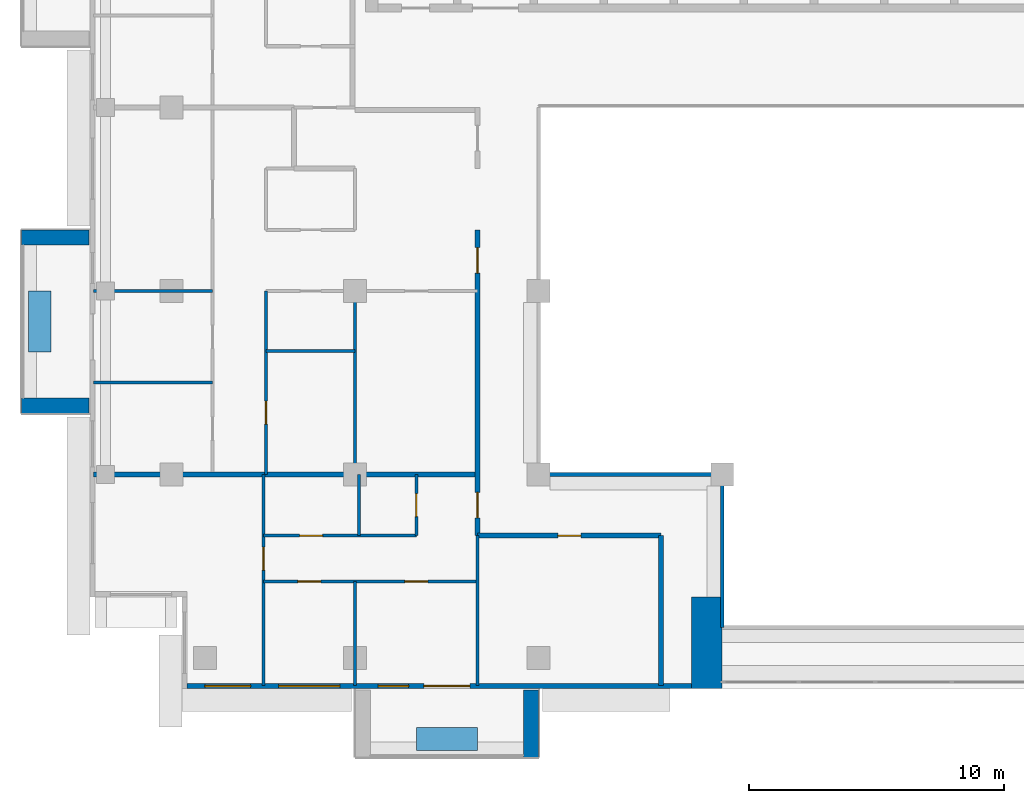
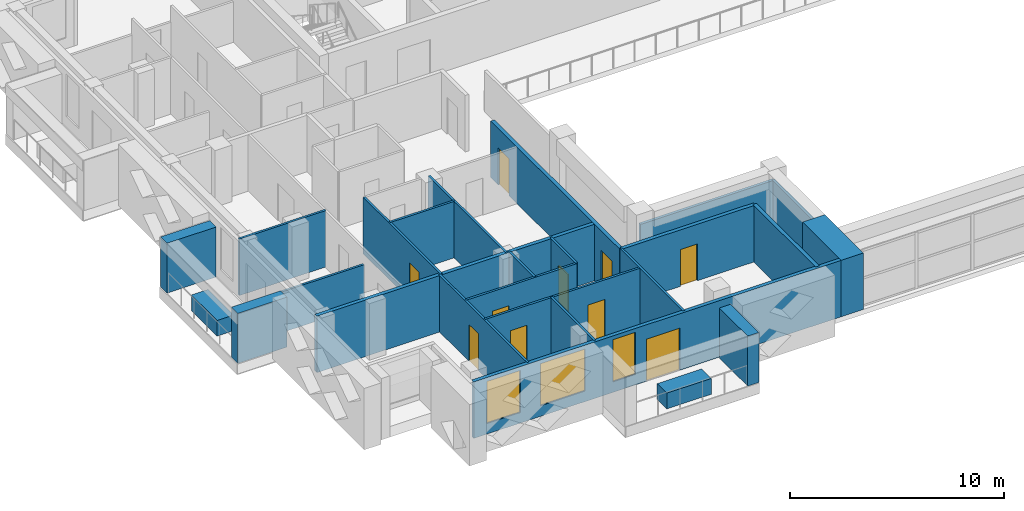
# One storey, part 6 of 19: 25 walls, 10 doors, 3 windows, 13 openings.
"""IFC4 building model written with IfcOpenShell, lengths in metres."""

from ifc_helpers import new_model, si_unit, direction, frame, frame_2d, origin, place, context, subcontext, project, spatial, rectangle, extrude, material, layer, layer_set, type_object, element, fill, save


model = new_model("IFC4")

# Units and contexts
model_context = context("Model", 3, precision=1e-05, world=origin(), true_north=direction((0.0, 1.0)))
body_context = subcontext(model_context, "Body", "Model", "MODEL_VIEW")
ifc_project = project(units=[si_unit("LENGTHUNIT", "METRE"), si_unit("AREAUNIT", "SQUARE_METRE"), si_unit("VOLUMEUNIT", "CUBIC_METRE"), si_unit("PLANEANGLEUNIT", "RADIAN"), si_unit("MASSUNIT", "GRAM", prefix="KILO")], contexts=[model_context])

# Site, building, storey
site_placement = place(None, origin())
site = spatial("IfcSite", under=ifc_project, at=site_placement, CompositionType="ELEMENT")
building_placement = place(site_placement, origin())
building = spatial("IfcBuilding", under=site, at=building_placement, Name="Saffron Iwan Residences", CompositionType="ELEMENT")
storey_placement = place(building_placement, frame((0.0, 0.0, 222.0)))
storey = spatial("IfcBuildingStorey", under=building, at=storey_placement, Name="L59", CompositionType="ELEMENT", Elevation=222.0)

# Walls
ifc_material_1 = material(Name="Fire-rated glazing", Category="glass")
ifc_layer_1 = layer(ifc_material_1, 0.14990234375)
ifc_layer_set_1 = layer_set([ifc_layer_1], Name="Fire-rated glazing")
wall_type_1 = type_object("IfcWallType", Name="Atrium glazed screen 150", PredefinedType="SOLIDWALL", material=ifc_layer_set_1)
wall_1_placement = place(storey_placement, frame((36.0, 48.0, 0.0), z_axis=(0.0, 0.0, 1.0), x_axis=(1.0, 0.0, 0.0)))
element("IfcWall", 1, at=wall_1_placement, inside=storey, type_object=wall_type_1, Name="W-L59-SCREEN-h48-36", PredefinedType="SOLIDWALL", context=body_context, shape_type="SweptSolid", body=[
    extrude(rectangle(XDim=7.199951171875, YDim=0.14990234375, at=frame_2d((3.60009765625, 0.0))), origin(), (0.0, 0.0, 1.0), 2.320068359375),
])
wall_2_placement = place(storey_placement, frame((43.199951171875, 42.0, 0.0), z_axis=(0.0, 0.0, 1.0), x_axis=(0.0, 1.0, 0.0)))
element("IfcWall", 2, at=wall_2_placement, inside=storey, type_object=wall_type_1, Name="W-L59-SCREEN-v43.2-42", PredefinedType="SOLIDWALL", context=body_context, shape_type="SweptSolid", body=[
    extrude(rectangle(XDim=6.0, YDim=0.14990234375, at=frame_2d((3.0, 0.0))), origin(), (0.0, 0.0, 1.0), 2.320068359375),
])
ifc_material_2 = material(Name="Concrete C50/60 white painted", Category="concrete")
ifc_layer_2 = layer(ifc_material_2, 0.60009765625)
ifc_layer_set_2 = layer_set([ifc_layer_2], Name="Concrete C50/60 white painted")
wall_type_2 = type_object("IfcWallType", Name="BALCONY FIN 600", PredefinedType="SOLIDWALL", material=ifc_layer_set_2)
for number, where, z_axis, x_axis, name in (
    (3, (18.35009765625, 57.300048828125, 0.0), (0.0, 0.0, 1.0), (-1.0, 0.0, 0.0), "Balcony fin L59 F8-1a"),
    (4, (18.35009765625, 50.699951171875, 0.0), (0.0, 0.0, 1.0), (-1.0, 0.0, 0.0), "Balcony fin L59 F8-1b"),
    (5, (35.699951171875, 39.550048828125, 0.0), (0.0, 0.0, 1.0), (0.0, -1.0, 0.0), "Balcony fin L59 11-0b"),
):
    element("IfcWall", number, at=place(storey_placement, frame(where, z_axis=z_axis, x_axis=x_axis)), inside=storey, type_object=wall_type_2, Name=name, PredefinedType="SOLIDWALL", context=body_context, shape_type="SweptSolid", body=[
        extrude(rectangle(XDim=2.650146484375, YDim=0.60009765625, at=frame_2d((1.3251953125, 0.0))), origin(), (0.0, 0.0, 1.0), 2.85009765625),
    ])
ifc_material_3 = material(Name="Concrete C35/45 white painted", Category="concrete")
ifc_layer_3 = layer(ifc_material_3, 0.14990234375)
ifc_layer_set_3 = layer_set([ifc_layer_3], Name="Concrete C35/45 white painted")
wall_type_3 = type_object("IfcWallType", Name="BALCONY PLANTER", PredefinedType="SOLIDWALL", material=ifc_layer_set_3)
wall_3_placement = place(storey_placement, frame((16.425048828125, 55.199951171875, 0.0), z_axis=(0.0, 0.0, 1.0), x_axis=(0.0, -1.0, 0.0)))
element("IfcWall", 6, at=wall_3_placement, inside=storey, type_object=wall_type_3, Name="PLANTER L59 F8-1", PredefinedType="SOLIDWALL", context=body_context, shape_type="SweptSolid", body=[
    extrude(rectangle(XDim=2.39990234375, YDim=0.89990234375, at=frame_2d((1.199951171875, 0.0))), origin(), (0.0, 0.0, 1.0), 0.89990234375),
])
wall_4_placement = place(storey_placement, frame((31.199951171875, 37.625, 0.0), z_axis=(0.0, 0.0, 1.0), x_axis=(1.0, 0.0, 0.0)))
element("IfcWall", 7, at=wall_4_placement, inside=storey, type_object=wall_type_3, Name="PLANTER L59 11-0", PredefinedType="SOLIDWALL", context=body_context, shape_type="SweptSolid", body=[
    extrude(rectangle(XDim=2.400146484375, YDim=0.89990234375, at=frame_2d((1.2001953125, 0.0))), origin(), (0.0, 0.0, 1.0), 0.89990234375),
])

# Wall, openings, door, windows
ifc_material_4 = material(Name="Concrete C40/50", Category="concrete")
ifc_layer_4 = layer(ifc_material_4, 0.199951171875)
ifc_layer_set_4 = layer_set([ifc_layer_4], Name="Concrete C40/50")
wall_type_4 = type_object("IfcWallType", Name="EXTERNAL WALL 200", PredefinedType="SOLIDWALL", material=ifc_layer_set_4)
wall_5_placement = place(storey_placement, frame((22.199951171875, 39.699951171875, 0.0), z_axis=(0.0, 0.0, 1.0), x_axis=(1.0, 0.0, 0.0)))
wall_5 = element("IfcWall", 8, at=wall_5_placement, inside=storey, type_object=wall_type_4, Name="External wall L59 F11.0", PredefinedType="SOLIDWALL", context=body_context, shape_type="SweptSolid", body=[
    extrude(rectangle(XDim=19.800048828125, YDim=0.199951171875, at=frame_2d((9.89990234375, 0.0))), origin(), (0.0, 0.0, 1.0), 3.219970703125),
])
opening_1_placement = place(wall_5_placement, frame((9.300048828125, 0.0, 0.0)))
opening_1 = element("IfcOpeningElement", 9, at=opening_1_placement, cuts=wall_5, Name="Opening BD1", PredefinedType="OPENING", context=body_context, shape_type="SweptSolid", body=[
    extrude(rectangle(XDim=1.800048828125, YDim=2.39990234375, at=frame_2d((0.89990234375, 1.199951171875))), frame((0.0, 0.10986328125, 0.0), z_axis=(0.0, -1.0, 0.0), x_axis=(1.0, 0.0, 0.0)), (0.0, 0.0, 1.0), 0.219970703125),
])
opening_2_placement = place(wall_5_placement, frame((0.699951171875, 0.0, 0.60009765625)))
opening_2 = element("IfcOpeningElement", 10, at=opening_2_placement, cuts=wall_5, Name="Opening W8", PredefinedType="OPENING", context=body_context, shape_type="SweptSolid", body=[
    extrude(rectangle(XDim=1.800048828125, YDim=2.39990234375, at=frame_2d((0.89990234375, 1.199951171875))), frame((0.0, 0.10986328125, 0.0), z_axis=(0.0, -1.0, 0.0), x_axis=(1.0, 0.0, 0.0)), (0.0, 0.0, 1.0), 0.219970703125),
])
opening_3_placement = place(wall_5_placement, frame((3.60009765625, 0.0, 0.60009765625)))
opening_3 = element("IfcOpeningElement", 11, at=opening_3_placement, cuts=wall_5, Name="Opening W1", PredefinedType="OPENING", context=body_context, shape_type="SweptSolid", body=[
    extrude(rectangle(XDim=2.39990234375, YDim=2.39990234375, at=frame_2d((1.199951171875, 1.199951171875))), frame((0.0, 0.10986328125, 0.0), z_axis=(0.0, -1.0, 0.0), x_axis=(1.0, 0.0, 0.0)), (0.0, 0.0, 1.0), 0.219970703125),
])
opening_4_placement = place(wall_5_placement, frame((7.5, 0.0, 0.60009765625)))
opening_4 = element("IfcOpeningElement", 12, at=opening_4_placement, cuts=wall_5, Name="Opening W3", PredefinedType="OPENING", context=body_context, shape_type="SweptSolid", body=[
    extrude(rectangle(XDim=1.199951171875, YDim=2.39990234375, at=frame_2d((0.60009765625, 1.199951171875))), frame((0.0, 0.10986328125, 0.0), z_axis=(0.0, -1.0, 0.0), x_axis=(1.0, 0.0, 0.0)), (0.0, 0.0, 1.0), 0.219970703125),
])
ifc_material_5 = material(Name="Clear glass, laminated double glazed", Category="glass")
door_type_1 = type_object("IfcDoorType", Name="BALCONY DOOR 1800 x 2400", OperationType="DOUBLE_DOOR_SLIDING", PredefinedType="DOOR", material=ifc_material_5)
door_1_placement = place(opening_1_placement, origin())
door_1 = element("IfcDoor", 13, at=door_1_placement, inside=storey, type_object=door_type_1, Name="Balcony door L59 F11.0", OperationType="DOUBLE_DOOR_SLIDING", OverallHeight=2.39990234375, OverallWidth=1.800048828125, PredefinedType="DOOR", context=body_context, shape_type="SweptSolid", body=[
    extrude(rectangle(XDim=1.800048828125, YDim=2.39990234375, at=frame_2d((0.89990234375, 1.199951171875))), frame((0.0, 0.02490234375, 0.0), z_axis=(0.0, -1.0, 0.0), x_axis=(1.0, 0.0, 0.0)), (0.0, 0.0, 1.0), 0.050048828125),
])
fill(opening_1, door_1)
window_type_1 = type_object("IfcWindowType", Name="WINDOW 1200 x 2400", PartitioningType="SINGLE_PANEL", PredefinedType="WINDOW", material=ifc_material_5)
window_1_placement = place(opening_4_placement, origin())
window_1 = element("IfcWindow", 14, at=window_1_placement, inside=storey, type_object=window_type_1, Name="Window L59 F11.3", OverallHeight=2.39990234375, OverallWidth=1.199951171875, PartitioningType="SINGLE_PANEL", PredefinedType="WINDOW", context=body_context, shape_type="SweptSolid", body=[
    extrude(rectangle(XDim=1.199951171875, YDim=2.39990234375, at=frame_2d((0.60009765625, 1.199951171875))), frame((0.0, 0.030029296875, 0.0), z_axis=(0.0, -1.0, 0.0), x_axis=(1.0, 0.0, 0.0)), (0.0, 0.0, 1.0), 0.06005859375),
])
fill(opening_4, window_1)
window_type_2 = type_object("IfcWindowType", Name="WINDOW 1800 x 2400", PartitioningType="DOUBLE_PANEL_VERTICAL", PredefinedType="WINDOW", material=ifc_material_5)
window_2_placement = place(opening_2_placement, origin())
window_2 = element("IfcWindow", 15, at=window_2_placement, inside=storey, type_object=window_type_2, Name="Window L59 F11.1", OverallHeight=2.39990234375, OverallWidth=1.800048828125, PartitioningType="DOUBLE_PANEL_VERTICAL", PredefinedType="WINDOW", context=body_context, shape_type="SweptSolid", body=[
    extrude(rectangle(XDim=1.800048828125, YDim=2.39990234375, at=frame_2d((0.89990234375, 1.199951171875))), frame((0.0, 0.030029296875, 0.0), z_axis=(0.0, -1.0, 0.0), x_axis=(1.0, 0.0, 0.0)), (0.0, 0.0, 1.0), 0.06005859375),
])
fill(opening_2, window_2)
window_type_3 = type_object("IfcWindowType", Name="WINDOW 2400 x 2400", PartitioningType="DOUBLE_PANEL_VERTICAL", PredefinedType="WINDOW", material=ifc_material_5)
window_3_placement = place(opening_3_placement, origin())
window_3 = element("IfcWindow", 16, at=window_3_placement, inside=storey, type_object=window_type_3, Name="Window L59 F11.2", OverallHeight=2.39990234375, OverallWidth=2.39990234375, PartitioningType="DOUBLE_PANEL_VERTICAL", PredefinedType="WINDOW", context=body_context, shape_type="SweptSolid", body=[
    extrude(rectangle(XDim=2.39990234375, YDim=2.39990234375, at=frame_2d((1.199951171875, 1.199951171875))), frame((0.0, 0.030029296875, 0.0), z_axis=(0.0, -1.0, 0.0), x_axis=(1.0, 0.0, 0.0)), (0.0, 0.0, 1.0), 0.06005859375),
])
fill(opening_3, window_3)

# Wall
ifc_material_6 = material(Name="Fire-rated gypsum board wall")
ifc_layer_5 = layer(ifc_material_6, 0.199951171875)
ifc_layer_set_5 = layer_set([ifc_layer_5], Name="Fire-rated gypsum board wall")
wall_type_5 = type_object("IfcWallType", Name="Flat demising wall 200", PredefinedType="SOLIDWALL", material=ifc_layer_set_5)
wall_6_placement = place(storey_placement, frame((18.52490234375, 48.0, 0.0), z_axis=(0.0, 0.0, 1.0), x_axis=(1.0, 0.0, 0.0)))
element("IfcWall", 17, at=wall_6_placement, inside=storey, type_object=wall_type_5, Name="W-L59-DEMISE-h48-18.525", PredefinedType="SOLIDWALL", context=body_context, shape_type="SweptSolid", body=[
    extrude(rectangle(XDim=15.0751953125, YDim=0.199951171875, at=frame_2d((7.53759765625, 0.0))), origin(), (0.0, 0.0, 1.0), 3.219970703125),
])

# Wall, openings, doors
ifc_material_7 = material(Name="Gypsum board partition")
ifc_layer_6 = layer(ifc_material_7, 0.1201171875)
ifc_layer_set_6 = layer_set([ifc_layer_6], Name="Gypsum board partition")
wall_type_6 = type_object("IfcWallType", Name="Flat partition 120", PredefinedType="PARTITIONING", material=ifc_layer_set_6)
wall_7_placement = place(storey_placement, frame((25.199951171875, 43.800048828125, 0.0), z_axis=(0.0, 0.0, 1.0), x_axis=(1.0, 0.0, 0.0)))
wall_7 = element("IfcWall", 18, at=wall_7_placement, inside=storey, type_object=wall_type_6, Name="W-L59-PART-h43.8-25.2", PredefinedType="PARTITIONING", context=body_context, shape_type="SweptSolid", body=[
    extrude(rectangle(XDim=8.400146484375, YDim=0.1201171875, at=frame_2d((4.2001953125, 0.0))), origin(), (0.0, 0.0, 1.0), 3.219970703125),
])
opening_5_placement = place(wall_7_placement, frame((1.35009765625, 0.0, 0.0)))
opening_5 = element("IfcOpeningElement", 19, at=opening_5_placement, cuts=wall_7, Name="Opening FD2", PredefinedType="OPENING", context=body_context, shape_type="SweptSolid", body=[
    extrude(rectangle(XDim=0.89990234375, YDim=2.10009765625, at=frame_2d((0.449951171875, 1.050048828125))), frame((0.0, 0.070068359375, 0.0), z_axis=(0.0, -1.0, 0.0), x_axis=(1.0, 0.0, 0.0)), (0.0, 0.0, 1.0), 0.14013671875),
])
opening_6_placement = place(wall_7_placement, frame((5.550048828125, 0.0, 0.0)))
opening_6 = element("IfcOpeningElement", 20, at=opening_6_placement, cuts=wall_7, Name="Opening FD2", PredefinedType="OPENING", context=body_context, shape_type="SweptSolid", body=[
    extrude(rectangle(XDim=0.89990234375, YDim=2.10009765625, at=frame_2d((0.449951171875, 1.050048828125))), frame((0.0, 0.070068359375, 0.0), z_axis=(0.0, -1.0, 0.0), x_axis=(1.0, 0.0, 0.0)), (0.0, 0.0, 1.0), 0.14013671875),
])
ifc_material_8 = material(Name="Timber door", Category="wood")
door_type_2 = type_object("IfcDoorType", Name="Flat door 900", OperationType="NOTDEFINED", PredefinedType="DOOR", material=ifc_material_8)
door_2_placement = place(opening_5_placement, origin())
door_2 = element("IfcDoor", 21, at=door_2_placement, inside=storey, type_object=door_type_2, Name="Door L59-003", OperationType="SINGLE_SWING_LEFT", OverallHeight=2.10009765625, OverallWidth=0.89990234375, PredefinedType="DOOR", context=body_context, shape_type="SweptSolid", body=[
    extrude(rectangle(XDim=0.89990234375, YDim=2.10009765625, at=frame_2d((0.449951171875, 1.050048828125))), frame((0.0, 0.02490234375, 0.0), z_axis=(0.0, -1.0, 0.0), x_axis=(1.0, 0.0, 0.0)), (0.0, 0.0, 1.0), 0.050048828125),
])
fill(opening_5, door_2)
door_3_placement = place(opening_6_placement, origin())
door_3 = element("IfcDoor", 22, at=door_3_placement, inside=storey, type_object=door_type_2, Name="Door L59-004", OperationType="SINGLE_SWING_LEFT", OverallHeight=2.10009765625, OverallWidth=0.89990234375, PredefinedType="DOOR", context=body_context, shape_type="SweptSolid", body=[
    extrude(rectangle(XDim=0.89990234375, YDim=2.10009765625, at=frame_2d((0.449951171875, 1.050048828125))), frame((0.0, 0.02490234375, 0.0), z_axis=(0.0, -1.0, 0.0), x_axis=(1.0, 0.0, 0.0)), (0.0, 0.0, 1.0), 0.050048828125),
])
fill(opening_6, door_3)

# Wall, opening, door
wall_8_placement = place(storey_placement, frame((25.199951171875, 45.60009765625, 0.0), z_axis=(0.0, 0.0, 1.0), x_axis=(1.0, 0.0, 0.0)))
wall_8 = element("IfcWall", 23, at=wall_8_placement, inside=storey, type_object=wall_type_6, Name="W-L59-PART-h45.6-25.2", PredefinedType="PARTITIONING", context=body_context, shape_type="SweptSolid", body=[
    extrude(rectangle(XDim=6.0, YDim=0.1201171875, at=frame_2d((3.0, 0.0))), origin(), (0.0, 0.0, 1.0), 3.219970703125),
])
opening_7_placement = place(wall_8_placement, frame((1.425048828125, 0.0, 0.0)))
opening_7 = element("IfcOpeningElement", 24, at=opening_7_placement, cuts=wall_8, Name="Opening FD2", PredefinedType="OPENING", context=body_context, shape_type="SweptSolid", body=[
    extrude(rectangle(XDim=0.89990234375, YDim=2.10009765625, at=frame_2d((0.449951171875, 1.050048828125))), frame((0.0, 0.070068359375, 0.0), z_axis=(0.0, -1.0, 0.0), x_axis=(1.0, 0.0, 0.0)), (0.0, 0.0, 1.0), 0.14013671875),
])
door_4_placement = place(opening_7_placement, origin())
door_4 = element("IfcDoor", 25, at=door_4_placement, inside=storey, type_object=door_type_2, Name="Door L59-005", OperationType="SINGLE_SWING_RIGHT", OverallHeight=2.10009765625, OverallWidth=0.89990234375, PredefinedType="DOOR", context=body_context, shape_type="SweptSolid", body=[
    extrude(rectangle(XDim=0.89990234375, YDim=2.10009765625, at=frame_2d((0.449951171875, 1.050048828125))), frame((0.0, 0.02490234375, 0.0), z_axis=(0.0, -1.0, 0.0), x_axis=(1.0, 0.0, 0.0)), (0.0, 0.0, 1.0), 0.050048828125),
])
fill(opening_7, door_4)

# Walls
wall_9_placement = place(storey_placement, frame((18.52490234375, 51.60009765625, 0.0), z_axis=(0.0, 0.0, 1.0), x_axis=(1.0, 0.0, 0.0)))
element("IfcWall", 26, at=wall_9_placement, inside=storey, type_object=wall_type_6, Name="W-L59-PART-h51.6-18.525", PredefinedType="PARTITIONING", context=body_context, shape_type="SweptSolid", body=[
    extrude(rectangle(XDim=4.675048828125, YDim=0.1201171875, at=frame_2d((2.33740234375, 0.0))), origin(), (0.0, 0.0, 1.0), 2.320068359375),
])
wall_10_placement = place(storey_placement, frame((25.300048828125, 52.85009765625, 0.0), z_axis=(0.0, 0.0, 1.0), x_axis=(1.0, 0.0, 0.0)))
element("IfcWall", 27, at=wall_10_placement, inside=storey, type_object=wall_type_6, Name="W-L59-PART-h52.85-25.3", PredefinedType="PARTITIONING", context=body_context, shape_type="SweptSolid", body=[
    extrude(rectangle(XDim=3.5, YDim=0.1201171875, at=frame_2d((1.75, 0.0))), origin(), (0.0, 0.0, 1.0), 3.219970703125),
])
wall_11_placement = place(storey_placement, frame((18.52490234375, 55.199951171875, 0.0), z_axis=(0.0, 0.0, 1.0), x_axis=(1.0, 0.0, 0.0)))
element("IfcWall", 28, at=wall_11_placement, inside=storey, type_object=wall_type_6, Name="W-L59-PART-h55.2-18.525", PredefinedType="PARTITIONING", context=body_context, shape_type="SweptSolid", body=[
    extrude(rectangle(XDim=4.675048828125, YDim=0.1201171875, at=frame_2d((2.33740234375, 0.0))), origin(), (0.0, 0.0, 1.0), 3.219970703125),
])

# Wall, opening, door
wall_12_placement = place(storey_placement, frame((25.199951171875, 39.72509765625, 0.0), z_axis=(0.0, 0.0, 1.0), x_axis=(0.0, 1.0, 0.0)))
wall_12 = element("IfcWall", 29, at=wall_12_placement, inside=storey, type_object=wall_type_6, Name="W-L59-PART-v25.2-39.725", PredefinedType="PARTITIONING", context=body_context, shape_type="SweptSolid", body=[
    extrude(rectangle(XDim=8.27490234375, YDim=0.1201171875, at=frame_2d((4.137451171875, 0.0))), origin(), (0.0, 0.0, 1.0), 3.219970703125),
])
opening_8_placement = place(wall_12_placement, frame((4.52490234375, 0.0, 0.0)))
opening_8 = element("IfcOpeningElement", 30, at=opening_8_placement, cuts=wall_12, Name="Opening FD2", PredefinedType="OPENING", context=body_context, shape_type="SweptSolid", body=[
    extrude(rectangle(XDim=0.89990234375, YDim=2.10009765625, at=frame_2d((0.449951171875, 1.050048828125))), frame((0.0, 0.070068359375, 0.0), z_axis=(0.0, -1.0, 0.0), x_axis=(1.0, 0.0, 0.0)), (0.0, 0.0, 1.0), 0.14013671875),
])
door_5_placement = place(opening_8_placement, origin())
door_5 = element("IfcDoor", 31, at=door_5_placement, inside=storey, type_object=door_type_2, Name="Door L59-002", OperationType="SINGLE_SWING_RIGHT", OverallHeight=2.10009765625, OverallWidth=0.89990234375, PredefinedType="DOOR", context=body_context, shape_type="SweptSolid", body=[
    extrude(rectangle(XDim=0.89990234375, YDim=2.10009765625, at=frame_2d((0.449951171875, 1.050048828125))), frame((0.0, 0.02490234375, 0.0), z_axis=(0.0, -1.0, 0.0), x_axis=(1.0, 0.0, 0.0)), (0.0, 0.0, 1.0), 0.050048828125),
])
fill(opening_8, door_5)

wall_13_placement = place(storey_placement, frame((25.300048828125, 48.0, 0.0), z_axis=(0.0, 0.0, 1.0), x_axis=(0.0, 1.0, 0.0)))
wall_13 = element("IfcWall", 32, at=wall_13_placement, inside=storey, type_object=wall_type_6, Name="W-L59-PART-v25.3-48", PredefinedType="PARTITIONING", context=body_context, shape_type="SweptSolid", body=[
    extrude(rectangle(XDim=7.199951171875, YDim=0.1201171875, at=frame_2d((3.60009765625, 0.0))), origin(), (0.0, 0.0, 1.0), 3.219970703125),
])
opening_9_placement = place(wall_13_placement, frame((1.97509765625, 0.0, 0.0)))
opening_9 = element("IfcOpeningElement", 33, at=opening_9_placement, cuts=wall_13, Name="Opening FD2", PredefinedType="OPENING", context=body_context, shape_type="SweptSolid", body=[
    extrude(rectangle(XDim=0.89990234375, YDim=2.10009765625, at=frame_2d((0.449951171875, 1.050048828125))), frame((0.0, 0.070068359375, 0.0), z_axis=(0.0, -1.0, 0.0), x_axis=(1.0, 0.0, 0.0)), (0.0, 0.0, 1.0), 0.14013671875),
])
door_6_placement = place(opening_9_placement, origin())
door_6 = element("IfcDoor", 34, at=door_6_placement, inside=storey, type_object=door_type_2, Name="Door L59-012", OperationType="SINGLE_SWING_LEFT", OverallHeight=2.10009765625, OverallWidth=0.89990234375, PredefinedType="DOOR", context=body_context, shape_type="SweptSolid", body=[
    extrude(rectangle(XDim=0.89990234375, YDim=2.10009765625, at=frame_2d((0.449951171875, 1.050048828125))), frame((0.0, 0.02490234375, 0.0), z_axis=(0.0, -1.0, 0.0), x_axis=(1.0, 0.0, 0.0)), (0.0, 0.0, 1.0), 0.050048828125),
])
fill(opening_9, door_6)

# Walls
wall_14_placement = place(storey_placement, frame((28.800048828125, 39.72509765625, 0.0), z_axis=(0.0, 0.0, 1.0), x_axis=(0.0, 1.0, 0.0)))
element("IfcWall", 35, at=wall_14_placement, inside=storey, type_object=wall_type_6, Name="W-L59-PART-v28.8-39.725", PredefinedType="PARTITIONING", context=body_context, shape_type="SweptSolid", body=[
    extrude(rectangle(XDim=4.074951171875, YDim=0.1201171875, at=frame_2d((2.03759765625, 0.0))), origin(), (0.0, 0.0, 1.0), 3.219970703125),
])
wall_15_placement = place(storey_placement, frame((28.800048828125, 48.0, 0.0), z_axis=(0.0, 0.0, 1.0), x_axis=(0.0, 1.0, 0.0)))
element("IfcWall", 36, at=wall_15_placement, inside=storey, type_object=wall_type_6, Name="W-L59-PART-v28.8-48", PredefinedType="PARTITIONING", context=body_context, shape_type="SweptSolid", body=[
    extrude(rectangle(XDim=7.199951171875, YDim=0.1201171875, at=frame_2d((3.60009765625, 0.0))), origin(), (0.0, 0.0, 1.0), 3.219970703125),
])
wall_16_placement = place(storey_placement, frame((28.949951171875, 45.60009765625, 0.0), z_axis=(0.0, 0.0, 1.0), x_axis=(0.0, 1.0, 0.0)))
element("IfcWall", 37, at=wall_16_placement, inside=storey, type_object=wall_type_6, Name="W-L59-PART-v28.95-45.6", PredefinedType="PARTITIONING", context=body_context, shape_type="SweptSolid", body=[
    extrude(rectangle(XDim=2.39990234375, YDim=0.1201171875, at=frame_2d((1.199951171875, 0.0))), origin(), (0.0, 0.0, 1.0), 3.219970703125),
])

# Wall, opening, door
wall_17_placement = place(storey_placement, frame((31.199951171875, 45.60009765625, 0.0), z_axis=(0.0, 0.0, 1.0), x_axis=(0.0, 1.0, 0.0)))
wall_17 = element("IfcWall", 38, at=wall_17_placement, inside=storey, type_object=wall_type_6, Name="W-L59-PART-v31.2-45.6", PredefinedType="PARTITIONING", context=body_context, shape_type="SweptSolid", body=[
    extrude(rectangle(XDim=2.39990234375, YDim=0.1201171875, at=frame_2d((1.199951171875, 0.0))), origin(), (0.0, 0.0, 1.0), 3.219970703125),
])
opening_10_placement = place(wall_17_placement, frame((0.75, 0.0, 0.0)))
opening_10 = element("IfcOpeningElement", 39, at=opening_10_placement, cuts=wall_17, Name="Opening FD2", PredefinedType="OPENING", context=body_context, shape_type="SweptSolid", body=[
    extrude(rectangle(XDim=0.89990234375, YDim=2.10009765625, at=frame_2d((0.449951171875, 1.050048828125))), frame((0.0, 0.070068359375, 0.0), z_axis=(0.0, -1.0, 0.0), x_axis=(1.0, 0.0, 0.0)), (0.0, 0.0, 1.0), 0.14013671875),
])
door_7_placement = place(opening_10_placement, origin())
door_7 = element("IfcDoor", 40, at=door_7_placement, inside=storey, type_object=door_type_2, Name="Door L59-006", OperationType="SINGLE_SWING_LEFT", OverallHeight=2.10009765625, OverallWidth=0.89990234375, PredefinedType="DOOR", context=body_context, shape_type="SweptSolid", body=[
    extrude(rectangle(XDim=0.89990234375, YDim=2.10009765625, at=frame_2d((0.449951171875, 1.050048828125))), frame((0.0, 0.02490234375, 0.0), z_axis=(0.0, -1.0, 0.0), x_axis=(1.0, 0.0, 0.0)), (0.0, 0.0, 1.0), 0.050048828125),
])
fill(opening_10, door_7)

# Wall
wall_18_placement = place(storey_placement, frame((33.60009765625, 39.72509765625, 0.0), z_axis=(0.0, 0.0, 1.0), x_axis=(0.0, 1.0, 0.0)))
element("IfcWall", 41, at=wall_18_placement, inside=storey, type_object=wall_type_6, Name="W-L59-PART-v33.6-39.725", PredefinedType="PARTITIONING", context=body_context, shape_type="SweptSolid", body=[
    extrude(rectangle(XDim=5.875, YDim=0.1201171875, at=frame_2d((2.9375, 0.0))), origin(), (0.0, 0.0, 1.0), 3.219970703125),
])

# Wall, opening, door
ifc_layer_7 = layer(ifc_material_6, 0.199951171875)
ifc_layer_set_7 = layer_set([ifc_layer_7], Name="Fire-rated gypsum board wall")
wall_type_7 = type_object("IfcWallType", Name="Gallery wall 200", PredefinedType="SOLIDWALL", material=ifc_layer_set_7)
wall_19_placement = place(storey_placement, frame((33.60009765625, 45.60009765625, 0.0), z_axis=(0.0, 0.0, 1.0), x_axis=(1.0, 0.0, 0.0)))
wall_19 = element("IfcWall", 42, at=wall_19_placement, inside=storey, type_object=wall_type_7, Name="W-L59-CORR-h45.6-33.6", PredefinedType="SOLIDWALL", context=body_context, shape_type="SweptSolid", body=[
    extrude(rectangle(XDim=7.199951171875, YDim=0.199951171875, at=frame_2d((3.60009765625, 0.0))), origin(), (0.0, 0.0, 1.0), 3.219970703125),
])
opening_11_placement = place(wall_19_placement, frame((3.14990234375, 0.0, 0.0)))
opening_11 = element("IfcOpeningElement", 43, at=opening_11_placement, cuts=wall_19, Name="Opening FD2", PredefinedType="OPENING", context=body_context, shape_type="SweptSolid", body=[
    extrude(rectangle(XDim=0.89990234375, YDim=2.10009765625, at=frame_2d((0.449951171875, 1.050048828125))), frame((0.0, 0.10986328125, 0.0), z_axis=(0.0, -1.0, 0.0), x_axis=(1.0, 0.0, 0.0)), (0.0, 0.0, 1.0), 0.219970703125),
])
door_8_placement = place(opening_11_placement, origin())
door_8 = element("IfcDoor", 44, at=door_8_placement, inside=storey, type_object=door_type_2, Name="Door L59-007", OperationType="SINGLE_SWING_LEFT", OverallHeight=2.10009765625, OverallWidth=0.89990234375, PredefinedType="DOOR", context=body_context, shape_type="SweptSolid", body=[
    extrude(rectangle(XDim=0.89990234375, YDim=2.10009765625, at=frame_2d((0.449951171875, 1.050048828125))), frame((0.0, 0.02490234375, 0.0), z_axis=(0.0, -1.0, 0.0), x_axis=(1.0, 0.0, 0.0)), (0.0, 0.0, 1.0), 0.050048828125),
])
fill(opening_11, door_8)

# Wall, openings, doors
wall_20_placement = place(storey_placement, frame((33.60009765625, 45.60009765625, 0.0), z_axis=(0.0, 0.0, 1.0), x_axis=(0.0, 1.0, 0.0)))
wall_20 = element("IfcWall", 45, at=wall_20_placement, inside=storey, type_object=wall_type_7, Name="W-L59-CORR-v33.6-45.6", PredefinedType="SOLIDWALL", context=body_context, shape_type="SweptSolid", body=[
    extrude(rectangle(XDim=12.0, YDim=0.199951171875, at=frame_2d((6.0, 0.0))), origin(), (0.0, 0.0, 1.0), 3.219970703125),
])
opening_12_placement = place(wall_20_placement, frame((0.699951171875, 0.0, 0.0)))
opening_12 = element("IfcOpeningElement", 46, at=opening_12_placement, cuts=wall_20, Name="Opening FD1", PredefinedType="OPENING", context=body_context, shape_type="SweptSolid", body=[
    extrude(rectangle(XDim=1.0, YDim=2.10009765625, at=frame_2d((0.5, 1.050048828125))), frame((0.0, 0.10986328125, 0.0), z_axis=(0.0, -1.0, 0.0), x_axis=(1.0, 0.0, 0.0)), (0.0, 0.0, 1.0), 0.219970703125),
])
opening_13_placement = place(wall_20_placement, frame((10.300048828125, 0.0, 0.0)))
opening_13 = element("IfcOpeningElement", 47, at=opening_13_placement, cuts=wall_20, Name="Opening FD1", PredefinedType="OPENING", context=body_context, shape_type="SweptSolid", body=[
    extrude(rectangle(XDim=1.0, YDim=2.10009765625, at=frame_2d((0.5, 1.050048828125))), frame((0.0, 0.10986328125, 0.0), z_axis=(0.0, -1.0, 0.0), x_axis=(1.0, 0.0, 0.0)), (0.0, 0.0, 1.0), 0.219970703125),
])
ifc_material_9 = material(Name="Fire-rated timber door", Category="wood")
door_type_3 = type_object("IfcDoorType", Name="FD30S flat entrance door 1000", OperationType="NOTDEFINED", PredefinedType="DOOR", material=ifc_material_9)
door_9_placement = place(opening_12_placement, origin())
door_9 = element("IfcDoor", 48, at=door_9_placement, inside=storey, type_object=door_type_3, Name="Door L59-001", OperationType="SINGLE_SWING_LEFT", OverallHeight=2.10009765625, OverallWidth=1.0, PredefinedType="DOOR", context=body_context, shape_type="SweptSolid", body=[
    extrude(rectangle(XDim=1.0, YDim=2.10009765625, at=frame_2d((0.5, 1.050048828125))), frame((0.0, 0.02490234375, 0.0), z_axis=(0.0, -1.0, 0.0), x_axis=(1.0, 0.0, 0.0)), (0.0, 0.0, 1.0), 0.050048828125),
])
fill(opening_12, door_9)
door_10_placement = place(opening_13_placement, origin())
door_10 = element("IfcDoor", 49, at=door_10_placement, inside=storey, type_object=door_type_3, Name="Door L59-008", OperationType="SINGLE_SWING_RIGHT", OverallHeight=2.10009765625, OverallWidth=1.0, PredefinedType="DOOR", context=body_context, shape_type="SweptSolid", body=[
    extrude(rectangle(XDim=1.0, YDim=2.10009765625, at=frame_2d((0.5, 1.050048828125))), frame((0.0, 0.02490234375, 0.0), z_axis=(0.0, -1.0, 0.0), x_axis=(1.0, 0.0, 0.0)), (0.0, 0.0, 1.0), 0.050048828125),
])
fill(opening_13, door_10)

# Walls
wall_21_placement = place(storey_placement, frame((40.800048828125, 39.72509765625, 0.0), z_axis=(0.0, 0.0, 1.0), x_axis=(0.0, 1.0, 0.0)))
element("IfcWall", 50, at=wall_21_placement, inside=storey, type_object=wall_type_7, Name="W-L59-CORR-v40.8-39.725", PredefinedType="SOLIDWALL", context=body_context, shape_type="SweptSolid", body=[
    extrude(rectangle(XDim=5.875, YDim=0.199951171875, at=frame_2d((2.9375, 0.0))), origin(), (0.0, 0.0, 1.0), 3.219970703125),
])
ifc_layer_8 = layer(ifc_material_4, 1.199951171875)
ifc_layer_set_8 = layer_set([ifc_layer_8], Name="Concrete C40/50")
wall_type_8 = type_object("IfcWallType", Name="WALL IWAN PIER 1200 C40/50 3220 HIGH", PredefinedType="SHEAR", material=ifc_layer_set_8)
wall_22_placement = place(storey_placement, frame((42.60009765625, 39.60009765625, 0.0), z_axis=(0.0, 0.0, 1.0), x_axis=(0.0, 1.0, 0.0)))
element("IfcWall", 51, at=wall_22_placement, inside=storey, type_object=wall_type_8, Name="IWAN PIER", PredefinedType="SHEAR", context=body_context, shape_type="SweptSolid", body=[
    extrude(rectangle(XDim=3.599853515625, YDim=1.199951171875, at=frame_2d((1.7998046875, 0.0))), origin(), (0.0, 0.0, 1.0), 3.219970703125),
])

save(model, "model.ifc")
